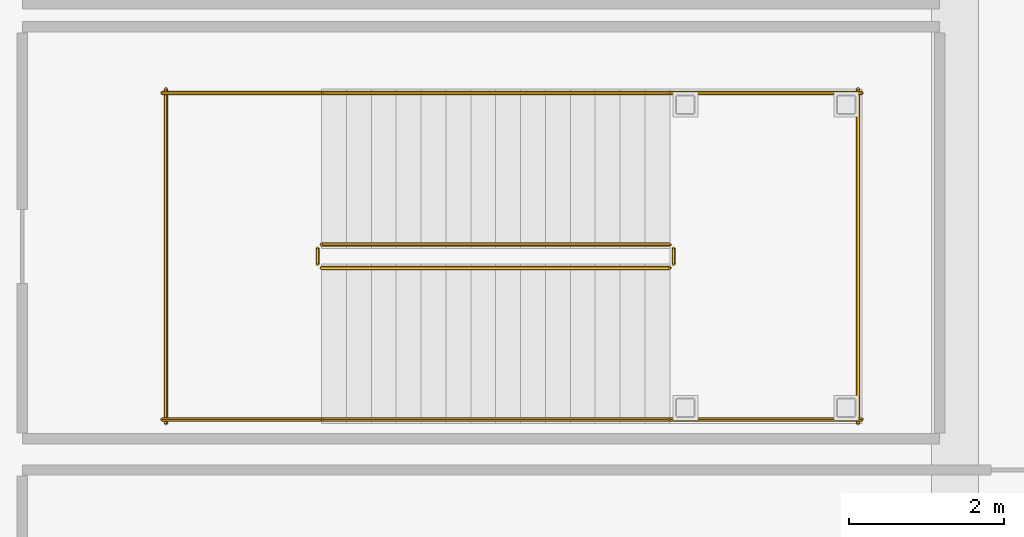
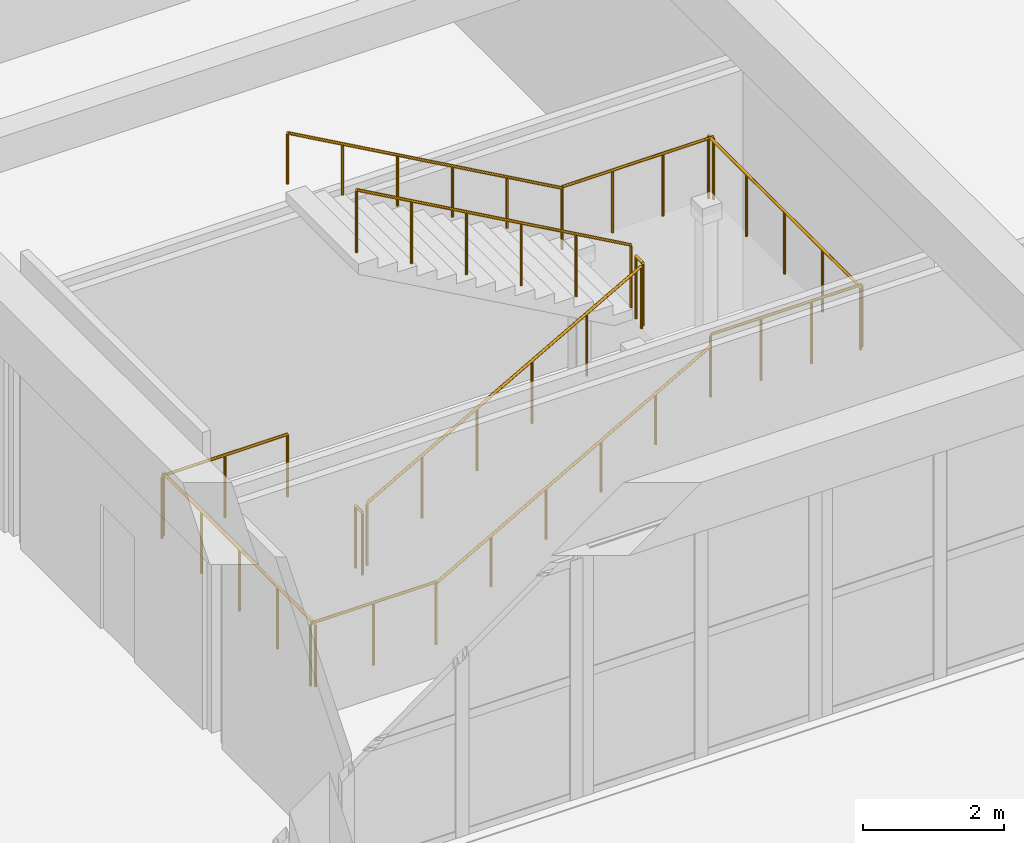
# One storey, part 86 of 98: 12 railings.
"""IFC4 building model written with IfcOpenShell, lengths in metres."""

from ifc_helpers import new_model, si_unit, direction, frame, origin, origin_2d, place, context, subcontext, project, spatial, circle, extrude, material, type_object, element, save


model = new_model("IFC4")

# Units and contexts
model_context = context("Model", 3, precision=1e-05, world=origin(), true_north=direction((0.0, 1.0)))
body_context = subcontext(model_context, "Body", "Model", "MODEL_VIEW")
ifc_project = project(units=[si_unit("LENGTHUNIT", "METRE"), si_unit("AREAUNIT", "SQUARE_METRE"), si_unit("VOLUMEUNIT", "CUBIC_METRE"), si_unit("PLANEANGLEUNIT", "RADIAN"), si_unit("MASSUNIT", "GRAM", prefix="KILO")], contexts=[model_context])

# Site, building, storey
site_placement = place(None, origin())
site = spatial("IfcSite", under=ifc_project, at=site_placement, CompositionType="ELEMENT")
building_placement = place(site_placement, origin())
building = spatial("IfcBuilding", under=site, at=building_placement, Name="Tarnavel Promenade Courthouse", CompositionType="ELEMENT")
storey_placement = place(building_placement, origin())
storey = spatial("IfcBuildingStorey", under=building, at=storey_placement, Name="L01", CompositionType="ELEMENT", Elevation=0.0)

# Railings
ifc_material_1 = material(Name="Brushed Bronze Tubular Stair Handrail")
railing_type_1 = type_object("IfcRailingType", Name="Brushed Bronze Tubular Stair Handrail (RL-HND-0900)", PredefinedType="HANDRAIL", material=ifc_material_1)
railing_1_placement = place(storey_placement, frame((50.64990234375, 51.25, 0.179931640625)))
element("IfcRailing", 1, at=railing_1_placement, inside=storey, type_object=railing_type_1, Name="L01 ST-10 stair handrail 1", PredefinedType="HANDRAIL", context=body_context, shape_type="SweptSolid", body=[
    extrude(circle(Radius=0.02392578125, at=origin_2d()), frame((0.0, 0.0, 0.8759765625), z_axis=(0.871573000172, 0.0, 0.490265749743), x_axis=(0.0, 1.0, 0.0)), (0.0, 0.0, 1.0), 5.14013671875),
    extrude(circle(Radius=0.02099609375, at=origin_2d()), origin(), (0.0, 0.0, 1.0), 0.851806640625),
    extrude(circle(Radius=0.02099609375, at=origin_2d()), frame((0.89599609375, 0.0, 0.50390625)), (0.0, 0.0, 1.0), 0.851806640625),
    extrude(circle(Radius=0.02099609375, at=origin_2d()), frame((1.7919921875, 0.0, 1.008056640625)), (0.0, 0.0, 1.0), 0.851806640625),
    extrude(circle(Radius=0.02099609375, at=origin_2d()), frame((2.68798828125, 0.0, 1.511962890625)), (0.0, 0.0, 1.0), 0.851806640625),
    extrude(circle(Radius=0.02099609375, at=origin_2d()), frame((3.583984375, 0.0, 2.01611328125)), (0.0, 0.0, 1.0), 0.851806640625),
    extrude(circle(Radius=0.02099609375, at=origin_2d()), frame((4.47998046875, 0.0, 2.52001953125)), (0.0, 0.0, 1.0), 0.851806640625),
])
railing_2_placement = place(storey_placement, frame((55.1298828125, 55.449951171875, 2.8798828125)))
element("IfcRailing", 2, at=railing_2_placement, inside=storey, type_object=railing_type_1, Name="L01 ST-10 stair handrail 2", PredefinedType="HANDRAIL", context=body_context, shape_type="SweptSolid", body=[
    extrude(circle(Radius=0.02392578125, at=origin_2d()), frame((0.0, 0.0, 0.8759765625), z_axis=(-0.871573000172, 0.0, 0.490265749743), x_axis=(0.0, -1.0, 0.0)), (0.0, 0.0, 1.0), 5.14013671875),
    extrude(circle(Radius=0.02099609375, at=origin_2d()), origin(), (0.0, 0.0, 1.0), 0.851806640625),
    extrude(circle(Radius=0.02099609375, at=origin_2d()), frame((-0.89599609375, 0.0, 0.50390625)), (0.0, 0.0, 1.0), 0.851806640625),
    extrude(circle(Radius=0.02099609375, at=origin_2d()), frame((-1.7919921875, 0.0, 1.008056640625)), (0.0, 0.0, 1.0), 0.851806640625),
    extrude(circle(Radius=0.02099609375, at=origin_2d()), frame((-2.68798828125, 0.0, 1.511962890625)), (0.0, 0.0, 1.0), 0.851806640625),
    extrude(circle(Radius=0.02099609375, at=origin_2d()), frame((-3.583984375, 0.0, 2.01611328125)), (0.0, 0.0, 1.0), 0.851806640625),
    extrude(circle(Radius=0.02099609375, at=origin_2d()), frame((-4.47998046875, 0.0, 2.52001953125)), (0.0, 0.0, 1.0), 0.851806640625),
])
ifc_material_2 = material(Name="Painted Architectural Steel Stair & Atrium Guardrail", Category="steel")
railing_type_2 = type_object("IfcRailingType", Name="Painted Architectural Steel Stair & Atrium Guardrail (RL-GRD-1120)", PredefinedType="GUARDRAIL", material=ifc_material_2)
railing_3_placement = place(storey_placement, frame((50.64990234375, 53.199951171875, 0.179931640625)))
element("IfcRailing", 3, at=railing_3_placement, inside=storey, type_object=railing_type_2, Name="L01 ST-10 stair guard 1", PredefinedType="GUARDRAIL", context=body_context, shape_type="SweptSolid", body=[
    extrude(circle(Radius=0.02392578125, at=origin_2d()), frame((0.0, 0.0, 1.076171875), z_axis=(0.871573000172, 0.0, 0.490265749743), x_axis=(0.0, 1.0, 0.0)), (0.0, 0.0, 1.0), 5.14013671875),
    extrude(circle(Radius=0.02099609375, at=origin_2d()), origin(), (0.0, 0.0, 1.0), 1.052001953125),
    extrude(circle(Radius=0.02099609375, at=origin_2d()), frame((0.89599609375, 0.0, 0.50390625)), (0.0, 0.0, 1.0), 1.052001953125),
    extrude(circle(Radius=0.02099609375, at=origin_2d()), frame((1.7919921875, 0.0, 1.008056640625)), (0.0, 0.0, 1.0), 1.052001953125),
    extrude(circle(Radius=0.02099609375, at=origin_2d()), frame((2.68798828125, 0.0, 1.511962890625)), (0.0, 0.0, 1.0), 1.052001953125),
    extrude(circle(Radius=0.02099609375, at=origin_2d()), frame((3.583984375, 0.0, 2.01611328125)), (0.0, 0.0, 1.0), 1.052001953125),
    extrude(circle(Radius=0.02099609375, at=origin_2d()), frame((4.47998046875, 0.0, 2.52001953125)), (0.0, 0.0, 1.0), 1.052001953125),
])
railing_4_placement = place(storey_placement, frame((55.179931640625, 53.25, 2.699951171875)))
element("IfcRailing", 4, at=railing_4_placement, inside=storey, type_object=railing_type_2, Name="L01 ST-10 stair guard 2", PredefinedType="GUARDRAIL", context=body_context, shape_type="SweptSolid", body=[
    extrude(circle(Radius=0.02392578125, at=origin_2d()), frame((0.0, 0.0, 1.076171875), z_axis=(0.0, 1.0, 0.0), x_axis=(-1.0, 0.0, 0.0)), (0.0, 0.0, 1.0), 0.199951171875),
    extrude(circle(Radius=0.02099609375, at=origin_2d()), origin(), (0.0, 0.0, 1.0), 1.052001953125),
    extrude(circle(Radius=0.02099609375, at=origin_2d()), frame((0.0, 0.199951171875, 0.0)), (0.0, 0.0, 1.0), 1.052001953125),
])
for number, where, name in (
    (5, (55.1298828125, 51.25, 2.699951171875), "L01 ST-10 stair guard 3"),
    (6, (55.1298828125, 55.449951171875, 2.699951171875), "L01 ST-10 stair guard 4"),
):
    element("IfcRailing", number, at=place(storey_placement, frame(where)), inside=storey, type_object=railing_type_2, Name=name, PredefinedType="GUARDRAIL", context=body_context, shape_type="SweptSolid", body=[
        extrude(circle(Radius=0.02392578125, at=origin_2d()), frame((0.0, 0.0, 1.076171875), z_axis=(1.0, 0.0, 0.0), x_axis=(0.0, 1.0, 0.0)), (0.0, 0.0, 1.0), 2.47021484375),
        extrude(circle(Radius=0.02099609375, at=origin_2d()), origin(), (0.0, 0.0, 1.0), 1.052001953125),
        extrude(circle(Radius=0.02099609375, at=origin_2d()), frame((0.823486328125, 0.0, 0.0)), (0.0, 0.0, 1.0), 1.052001953125),
        extrude(circle(Radius=0.02099609375, at=origin_2d()), frame((1.646728515625, 0.0, 0.0)), (0.0, 0.0, 1.0), 1.052001953125),
        extrude(circle(Radius=0.02099609375, at=origin_2d()), frame((2.47021484375, 0.0, 0.0)), (0.0, 0.0, 1.0), 1.052001953125),
    ])
railing_5_placement = place(storey_placement, frame((57.550048828125, 51.199951171875, 2.699951171875)))
element("IfcRailing", 7, at=railing_5_placement, inside=storey, type_object=railing_type_2, Name="L01 ST-10 stair guard 5", PredefinedType="GUARDRAIL", context=body_context, shape_type="SweptSolid", body=[
    extrude(circle(Radius=0.02392578125, at=origin_2d()), frame((0.0, 0.0, 1.076171875), z_axis=(0.0, 1.0, 0.0), x_axis=(-1.0, 0.0, 0.0)), (0.0, 0.0, 1.0), 4.300048828125),
    extrude(circle(Radius=0.02099609375, at=origin_2d()), origin(), (0.0, 0.0, 1.0), 1.052001953125),
    extrude(circle(Radius=0.02099609375, at=origin_2d()), frame((0.0, 1.074951171875, 0.0)), (0.0, 0.0, 1.0), 1.052001953125),
    extrude(circle(Radius=0.02099609375, at=origin_2d()), frame((0.0, 2.14990234375, 0.0)), (0.0, 0.0, 1.0), 1.052001953125),
    extrude(circle(Radius=0.02099609375, at=origin_2d()), frame((0.0, 3.22509765625, 0.0)), (0.0, 0.0, 1.0), 1.052001953125),
    extrude(circle(Radius=0.02099609375, at=origin_2d()), frame((0.0, 4.300048828125, 0.0)), (0.0, 0.0, 1.0), 1.052001953125),
])
railing_6_placement = place(storey_placement, frame((55.1298828125, 53.5, 2.8798828125)))
element("IfcRailing", 8, at=railing_6_placement, inside=storey, type_object=railing_type_2, Name="L01 ST-10 stair guard 6", PredefinedType="GUARDRAIL", context=body_context, shape_type="SweptSolid", body=[
    extrude(circle(Radius=0.02392578125, at=origin_2d()), frame((0.0, 0.0, 1.076171875), z_axis=(-0.871573000172, 0.0, 0.490265749743), x_axis=(0.0, -1.0, 0.0)), (0.0, 0.0, 1.0), 5.14013671875),
    extrude(circle(Radius=0.02099609375, at=origin_2d()), origin(), (0.0, 0.0, 1.0), 1.052001953125),
    extrude(circle(Radius=0.02099609375, at=origin_2d()), frame((-0.89599609375, 0.0, 0.50390625)), (0.0, 0.0, 1.0), 1.052001953125),
    extrude(circle(Radius=0.02099609375, at=origin_2d()), frame((-1.7919921875, 0.0, 1.008056640625)), (0.0, 0.0, 1.0), 1.052001953125),
    extrude(circle(Radius=0.02099609375, at=origin_2d()), frame((-2.68798828125, 0.0, 1.511962890625)), (0.0, 0.0, 1.0), 1.052001953125),
    extrude(circle(Radius=0.02099609375, at=origin_2d()), frame((-3.583984375, 0.0, 2.01611328125)), (0.0, 0.0, 1.0), 1.052001953125),
    extrude(circle(Radius=0.02099609375, at=origin_2d()), frame((-4.47998046875, 0.0, 2.52001953125)), (0.0, 0.0, 1.0), 1.052001953125),
])
railing_7_placement = place(storey_placement, frame((50.60009765625, 53.25, 0.0)))
element("IfcRailing", 9, at=railing_7_placement, inside=storey, type_object=railing_type_2, Name="L01 ST-10 stair guard 7", PredefinedType="GUARDRAIL", context=body_context, shape_type="SweptSolid", body=[
    extrude(circle(Radius=0.02392578125, at=origin_2d()), frame((0.0, 0.0, 1.076171875), z_axis=(0.0, 1.0, 0.0), x_axis=(-1.0, 0.0, 0.0)), (0.0, 0.0, 1.0), 0.199951171875),
    extrude(circle(Radius=0.02099609375, at=origin_2d()), origin(), (0.0, 0.0, 1.0), 1.052001953125),
    extrude(circle(Radius=0.02099609375, at=origin_2d()), frame((0.0, 0.199951171875, 0.0)), (0.0, 0.0, 1.0), 1.052001953125),
])
for number, where, name in (
    (10, (48.60009765625, 51.25, 0.0), "L01 ST-10 stair guard 8"),
    (11, (48.60009765625, 55.449951171875, 0.0), "L01 ST-10 stair guard 9"),
):
    element("IfcRailing", number, at=place(storey_placement, frame(where)), inside=storey, type_object=railing_type_2, Name=name, PredefinedType="GUARDRAIL", context=body_context, shape_type="SweptSolid", body=[
        extrude(circle(Radius=0.02392578125, at=origin_2d()), frame((0.0, 0.0, 1.076171875), z_axis=(1.0, 0.0, 0.0), x_axis=(0.0, 1.0, 0.0)), (0.0, 0.0, 1.0), 2.0498046875),
        extrude(circle(Radius=0.02099609375, at=origin_2d()), origin(), (0.0, 0.0, 1.0), 1.052001953125),
        extrude(circle(Radius=0.02099609375, at=origin_2d()), frame((1.02490234375, 0.0, 0.0)), (0.0, 0.0, 1.0), 1.052001953125),
        extrude(circle(Radius=0.02099609375, at=origin_2d()), frame((2.0498046875, 0.0, 0.0)), (0.0, 0.0, 1.0), 1.052001953125),
    ])
railing_8_placement = place(storey_placement, frame((48.64990234375, 51.199951171875, 0.0)))
element("IfcRailing", 12, at=railing_8_placement, inside=storey, type_object=railing_type_2, Name="L01 ST-10 stair guard 10", PredefinedType="GUARDRAIL", context=body_context, shape_type="SweptSolid", body=[
    extrude(circle(Radius=0.02392578125, at=origin_2d()), frame((0.0, 0.0, 1.076171875), z_axis=(0.0, 1.0, 0.0), x_axis=(-1.0, 0.0, 0.0)), (0.0, 0.0, 1.0), 4.300048828125),
    extrude(circle(Radius=0.02099609375, at=origin_2d()), origin(), (0.0, 0.0, 1.0), 1.052001953125),
    extrude(circle(Radius=0.02099609375, at=origin_2d()), frame((0.0, 1.074951171875, 0.0)), (0.0, 0.0, 1.0), 1.052001953125),
    extrude(circle(Radius=0.02099609375, at=origin_2d()), frame((0.0, 2.14990234375, 0.0)), (0.0, 0.0, 1.0), 1.052001953125),
    extrude(circle(Radius=0.02099609375, at=origin_2d()), frame((0.0, 3.22509765625, 0.0)), (0.0, 0.0, 1.0), 1.052001953125),
    extrude(circle(Radius=0.02099609375, at=origin_2d()), frame((0.0, 4.300048828125, 0.0)), (0.0, 0.0, 1.0), 1.052001953125),
])

save(model, "model.ifc")
